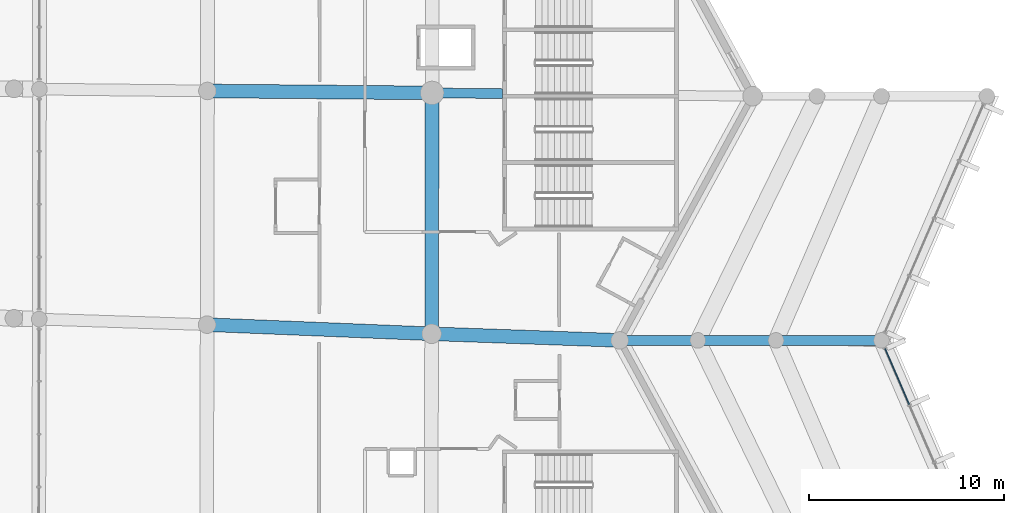
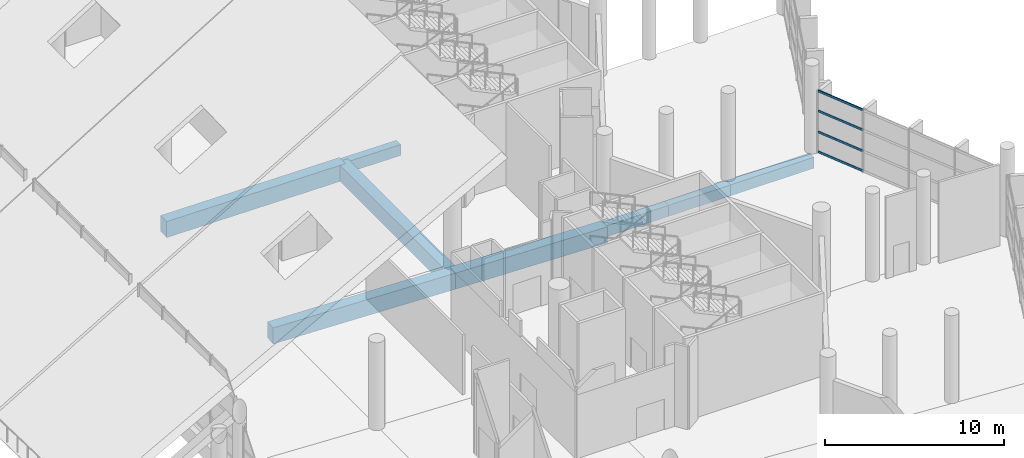
# One storey, part 49 of 249: 8 beams, 4 members, 1 element without a shape of its own.
"""IFC4 building model written with IfcOpenShell, lengths in metres."""

from ifc_helpers import new_model, si_unit, direction, frame, origin, origin_2d, place, context, subcontext, project, spatial, rectangle, extrude, material, layer, layer_set, material_profile, profile_set, type_object, element, aggregate, save


model = new_model("IFC4")

# Units and contexts
model_context = context("Model", 3, precision=1e-05, world=origin(), true_north=direction((0.0, 1.0)))
body_context = subcontext(model_context, "Body", "Model", "MODEL_VIEW")
ifc_project = project(units=[si_unit("LENGTHUNIT", "METRE"), si_unit("AREAUNIT", "SQUARE_METRE"), si_unit("VOLUMEUNIT", "CUBIC_METRE"), si_unit("PLANEANGLEUNIT", "RADIAN"), si_unit("MASSUNIT", "GRAM", prefix="KILO")], contexts=[model_context])

# Site, building, storey
site_placement = place(None, origin())
site = spatial("IfcSite", under=ifc_project, at=site_placement, CompositionType="ELEMENT")
building_placement = place(site_placement, origin())
building = spatial("IfcBuilding", under=site, at=building_placement, Name="Meseta Stadium", CompositionType="ELEMENT")
storey_placement = place(building_placement, frame((0.0, 0.0, 12.0)))
storey = spatial("IfcBuildingStorey", under=building, at=storey_placement, Name="L02", CompositionType="ELEMENT", Elevation=12.0)

# Beams
ifc_material_1 = material(Name="Concrete C40/50", Category="concrete")
ifc_material_profile_1 = material_profile(ifc_material_1, rectangle(XDim=0.5, YDim=0.75, at=origin_2d()), Name="RC 500x750")
ifc_profile_set_1 = profile_set([ifc_material_profile_1], Name="Concrete C40/50")
beam_type_1 = type_object("IfcBeamType", Name="RC beam 500x750", PredefinedType="BEAM", material=ifc_profile_set_1)
beam_1_placement = place(storey_placement, frame((84.99755859375, -6.081298828125, -0.72509765625), z_axis=(0.999946950007, -0.010300348089, 0.0), x_axis=(0.010300348089, 0.999946950007, 0.0)))
element("IfcBeam", 1, at=beam_1_placement, inside=storey, type_object=beam_type_1, Name="L02 radial beam frame 4 line P to R", PredefinedType="BEAM", context=body_context, shape_type="SweptSolid", body=[
    extrude(rectangle(XDim=0.5, YDim=0.75, at=origin_2d()), origin(), (0.0, 0.0, 1.0), 3.602783203125),
])
for number, where, z_axis, x_axis, name in (
    (2, (94.60009765625, -18.75, -0.72509765625), (1.0, 0.0, 0.0), (0.0, 1.0, 0.0), "L02 radial beam frame 3 line R to M"),
    (3, (98.60009765625, -18.75, -0.72509765625), (1.0, 0.0, 0.0), (0.0, 1.0, 0.0), "L02 radial beam frame 3 line M to Q"),
):
    element("IfcBeam", number, at=place(storey_placement, frame(where, z_axis=z_axis, x_axis=x_axis)), inside=storey, type_object=beam_type_1, Name=name, PredefinedType="BEAM", context=body_context, shape_type="SweptSolid", body=[
        extrude(rectangle(XDim=0.5, YDim=0.75, at=origin_2d()), origin(), (0.0, 0.0, 1.0), 4.0),
    ])
beam_2_placement = place(storey_placement, frame((102.60009765625, -18.75, -0.72509765625), z_axis=(1.0, 0.0, 0.0), x_axis=(0.0, 1.0, 0.0)))
element("IfcBeam", 4, at=beam_2_placement, inside=storey, type_object=beam_type_1, Name="L02 radial beam frame 3 line Q to O", PredefinedType="BEAM", context=body_context, shape_type="SweptSolid", body=[
    extrude(rectangle(XDim=0.5, YDim=0.75, at=origin_2d()), origin(), (0.0, 0.0, 1.0), 5.39990234375),
])
ifc_material_2 = material(Name="Concrete C40/50", Category="concrete")
ifc_material_profile_2 = material_profile(ifc_material_2, rectangle(XDim=0.699951171875, YDim=1.10009765625, at=origin_2d()), Name="RC 700x1100")
ifc_profile_set_2 = profile_set([ifc_material_profile_2], Name="Concrete C40/50")
beam_type_2 = type_object("IfcBeamType", Name="RC beam 700x1100", PredefinedType="BEAM", material=ifc_profile_set_2)
beam_3_placement = place(storey_placement, frame((84.97314453125, -18.41064453125, -0.89990234375), z_axis=(0.001980154927, 0.999998039491, 0.0), x_axis=(-0.999998039491, 0.001980154927, 0.0)))
element("IfcBeam", 5, at=beam_3_placement, inside=storey, type_object=beam_type_2, Name="L02 ring beam frame 3 line P", PredefinedType="BEAM", context=body_context, shape_type="SweptSolid", body=[
    extrude(rectangle(XDim=0.699951171875, YDim=1.10009765625, at=origin_2d()), origin(), (0.0, 0.0, 1.0), 12.329345703125),
])
beam_4_placement = place(storey_placement, frame((73.482421875, -17.943603515625, -0.89990234375), z_axis=(0.999175011921, -0.040611519947, 0.0), x_axis=(0.040611519947, 0.999175011921, 0.0)))
element("IfcBeam", 6, at=beam_4_placement, inside=storey, type_object=beam_type_2, Name="L02 radial beam frame 3 line E to P", PredefinedType="BEAM", context=body_context, shape_type="SweptSolid", body=[
    extrude(rectangle(XDim=0.699951171875, YDim=1.10009765625, at=origin_2d()), origin(), (0.0, 0.0, 1.0), 11.500244140625),
])
beam_5_placement = place(storey_placement, frame((84.97314453125, -18.41064453125, -0.89990234375), z_axis=(0.999379277506, -0.035228677108, 0.0), x_axis=(0.035228677108, 0.999379277506, 0.0)))
element("IfcBeam", 7, at=beam_5_placement, inside=storey, type_object=beam_type_2, Name="L02 radial beam frame 3 line P to R", PredefinedType="BEAM", context=body_context, shape_type="SweptSolid", body=[
    extrude(rectangle(XDim=0.699951171875, YDim=1.10009765625, at=origin_2d()), origin(), (0.0, 0.0, 1.0), 9.6328125),
])
beam_6_placement = place(storey_placement, frame((73.498046875, -5.981201171875, -0.89990234375), z_axis=(0.999962117874, -0.008704183863, 0.0), x_axis=(0.008704183863, 0.999962117874, 0.0)))
element("IfcBeam", 8, at=beam_6_placement, inside=storey, type_object=beam_type_2, Name="L02 radial beam frame 4 line E to P", PredefinedType="BEAM", context=body_context, shape_type="SweptSolid", body=[
    extrude(rectangle(XDim=0.699951171875, YDim=1.10009765625, at=origin_2d()), origin(), (0.0, 0.0, 1.0), 11.5),
])

# Curtain wall, members
ifc_material_3 = material(Name="Aluminium", Category="aluminium")
ifc_layer = layer(ifc_material_3, 0.199951171875)
ifc_layer_set = layer_set([ifc_layer], Name="Ring shopfront curtain wall")
curtain_wall_type = type_object("IfcCurtainWallType", Name="Ring shopfront curtain wall", PredefinedType="NOTDEFINED", material=ifc_layer_set)
curtain_wall_placement = place(storey_placement, origin())
curtain_wall = element("IfcCurtainWall", 9, at=curtain_wall_placement, inside=storey, type_object=curtain_wall_type, Name="Ring glazing L02 F02", PredefinedType="NOTDEFINED")
ifc_material_4 = material(Name="Aluminium", Category="aluminium")
ifc_material_profile_3 = material_profile(ifc_material_4, rectangle(XDim=0.06005859375, YDim=0.14990234375, at=origin_2d()), Name="CW 60x150")
ifc_profile_set_3 = profile_set([ifc_material_profile_3], Name="Aluminium")
member_type = type_object("IfcMemberType", Name="Ring CW transom 60x150", PredefinedType="USERDEFINED", material=ifc_profile_set_3)
member_1_placement = place(storey_placement, frame((109.41748046875, -22.031005859375, 0.074951171875), z_axis=(-0.396623730244, 0.917981272471, 0.0), x_axis=(-0.917981272471, -0.396623730244, 0.0)))
member_1 = element("IfcMember", 10, at=member_1_placement, type_object=member_type, Name="CWR1 transom 4.1", ObjectType="TRANSOM", PredefinedType="USERDEFINED", context=body_context, shape_type="SweptSolid", body=[
    extrude(rectangle(XDim=0.06005859375, YDim=0.14990234375, at=origin_2d()), origin(), (0.0, 0.0, 1.0), 3.114013671875),
])
member_2_placement = place(storey_placement, frame((109.41748046875, -22.031005859375, 1.433349609375), z_axis=(-0.396623730244, 0.917981272471, 0.0), x_axis=(-0.917981272471, -0.396623730244, 0.0)))
member_2 = element("IfcMember", 11, at=member_2_placement, type_object=member_type, Name="CWR1 transom 4.2", ObjectType="TRANSOM", PredefinedType="USERDEFINED", context=body_context, shape_type="SweptSolid", body=[
    extrude(rectangle(XDim=0.06005859375, YDim=0.14990234375, at=origin_2d()), origin(), (0.0, 0.0, 1.0), 3.114013671875),
])
member_3_placement = place(storey_placement, frame((109.41748046875, -22.031005859375, 2.86669921875), z_axis=(-0.396623730244, 0.917981272471, 0.0), x_axis=(-0.917981272471, -0.396623730244, 0.0)))
member_3 = element("IfcMember", 12, at=member_3_placement, type_object=member_type, Name="CWR1 transom 4.3", ObjectType="TRANSOM", PredefinedType="USERDEFINED", context=body_context, shape_type="SweptSolid", body=[
    extrude(rectangle(XDim=0.06005859375, YDim=0.14990234375, at=origin_2d()), origin(), (0.0, 0.0, 1.0), 3.114013671875),
])
member_4_placement = place(storey_placement, frame((109.41748046875, -22.031005859375, 4.22509765625), z_axis=(-0.396623730244, 0.917981272471, 0.0), x_axis=(-0.917981272471, -0.396623730244, 0.0)))
member_4 = element("IfcMember", 13, at=member_4_placement, type_object=member_type, Name="CWR1 transom 4.4", ObjectType="TRANSOM", PredefinedType="USERDEFINED", context=body_context, shape_type="SweptSolid", body=[
    extrude(rectangle(XDim=0.06005859375, YDim=0.14990234375, at=origin_2d()), origin(), (0.0, 0.0, 1.0), 3.114013671875),
])
aggregate(curtain_wall, [member_1, member_2, member_3, member_4])

save(model, "model.ifc")
